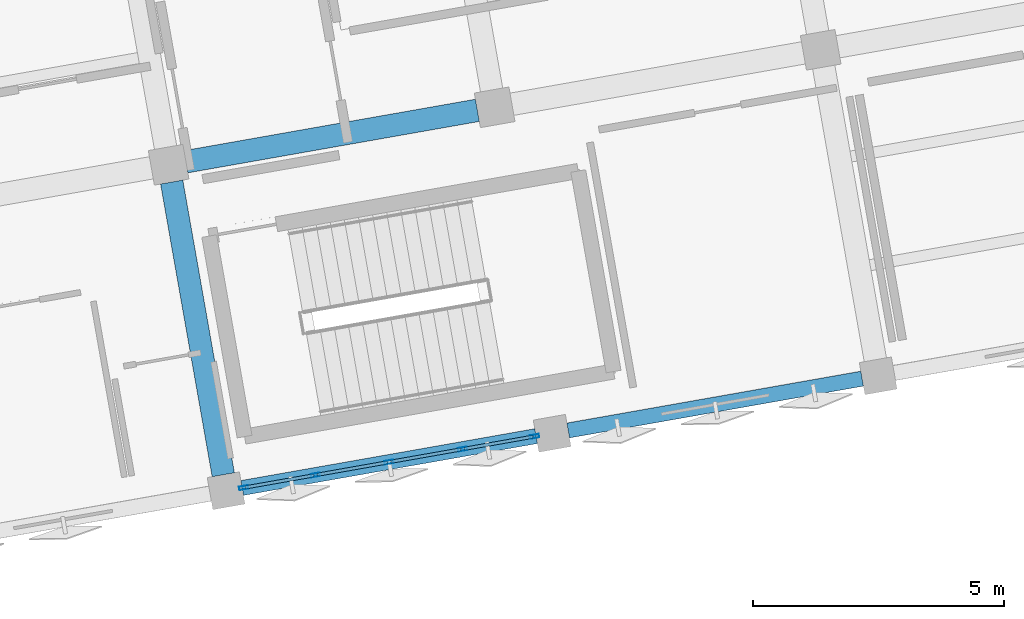
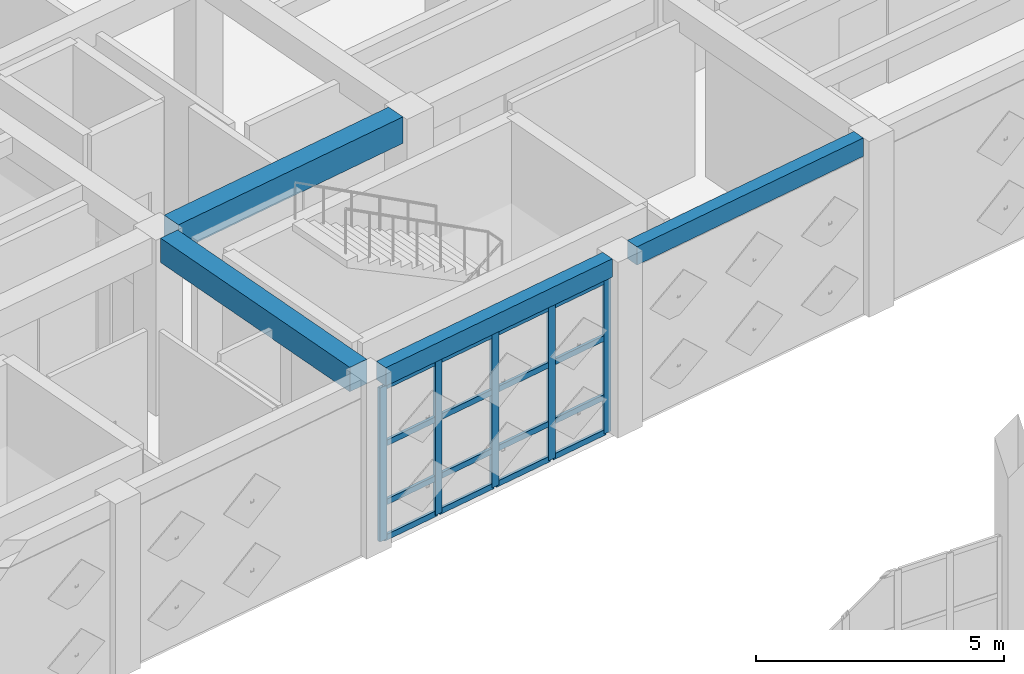
# One storey, part 5 of 39: 21 members, 4 beams, 1 element without a shape of its own.
"""IFC4 building model written with IfcOpenShell, lengths in metres."""

from ifc_helpers import new_model, si_unit, direction, frame, origin, origin_2d, place, context, subcontext, project, spatial, rectangle, hollow_rectangle, extrude, material, layer, layer_set, material_profile, profile_set, type_object, element, aggregate, save


model = new_model("IFC4")

# Units and contexts
model_context = context("Model", 3, precision=1e-05, world=origin(), true_north=direction((0.0, 1.0)))
body_context = subcontext(model_context, "Body", "Model", "MODEL_VIEW")
ifc_project = project(units=[si_unit("LENGTHUNIT", "METRE"), si_unit("AREAUNIT", "SQUARE_METRE"), si_unit("VOLUMEUNIT", "CUBIC_METRE"), si_unit("PLANEANGLEUNIT", "RADIAN"), si_unit("MASSUNIT", "GRAM", prefix="KILO")], contexts=[model_context])

# Site, building, storey
site_placement = place(None, origin())
site = spatial("IfcSite", under=ifc_project, at=site_placement, CompositionType="ELEMENT")
building_placement = place(site_placement, origin())
building = spatial("IfcBuilding", under=site, at=building_placement, Name="Kharisveld Research Institute", CompositionType="ELEMENT")
storey_placement = place(building_placement, frame((0.0, 0.0, 18.60009765625)))
storey = spatial("IfcBuildingStorey", under=building, at=storey_placement, Name="L04", CompositionType="ELEMENT", Elevation=18.60009765625)

# Beams
ifc_material_1 = material(Name="Concrete C40/50", Category="concrete")
ifc_material_profile_1 = material_profile(ifc_material_1, rectangle(XDim=0.449951171875, YDim=0.60009765625, at=origin_2d()))
ifc_profile_set_1 = profile_set([ifc_material_profile_1], Name="Concrete C40/50")
beam_type_1 = type_object("IfcBeamType", Name="BM_RC_450x600", PredefinedType="BEAM", material=ifc_profile_set_1)
beam_1_placement = place(storey_placement, frame((18.14306640625, 37.622314453125, 4.02001953125), z_axis=(-0.173639592071, 0.984809266846, 0.0), x_axis=(-0.984809266846, -0.173639592071, 0.0)))
element("IfcBeam", 1, at=beam_1_placement, inside=storey, type_object=beam_type_1, Name="BM:V1:L04:V2_0", PredefinedType="BEAM", context=body_context, shape_type="SweptSolid", body=[
    extrude(rectangle(XDim=0.449951171875, YDim=0.60009765625, at=origin_2d()), origin(), (0.0, 0.0, 1.0), 5.925048828125),
])
ifc_material_2 = material(Name="Concrete C40/50", Category="concrete")
ifc_material_profile_2 = material_profile(ifc_material_2, rectangle(XDim=0.449951171875, YDim=0.64990234375, at=origin_2d()))
ifc_profile_set_2 = profile_set([ifc_material_profile_2], Name="Concrete C40/50")
beam_type_2 = type_object("IfcBeamType", Name="BM_RC_450x650", PredefinedType="BEAM", material=ifc_profile_set_2)
beam_2_placement = place(storey_placement, frame((17.39794921875, 43.862548828125, 3.994873046875), z_axis=(0.98480479605, 0.173664946598, 0.0), x_axis=(-0.173664946598, 0.98480479605, 0.0)))
element("IfcBeam", 2, at=beam_2_placement, inside=storey, type_object=beam_type_2, Name="BM:V1:L04:U2_1", PredefinedType="BEAM", context=body_context, shape_type="SweptSolid", body=[
    extrude(rectangle(XDim=0.449951171875, YDim=0.64990234375, at=origin_2d()), origin(), (0.0, 0.0, 1.0), 5.900146484375),
])

# Curtain wall, members
ifc_material_3 = material(Name="Thermally Broken Aluminium Curtain Wall", Category="aluminium")
ifc_layer = layer(ifc_material_3, 0.159912109375)
ifc_layer_set = layer_set([ifc_layer], Name="CW_SYS_03")
curtain_wall_type = type_object("IfcCurtainWallType", Name="CW_SYS_03", PredefinedType="NOTDEFINED", material=ifc_layer_set)
curtain_wall_placement = place(storey_placement, origin())
curtain_wall = element("IfcCurtainWall", 3, at=curtain_wall_placement, inside=storey, type_object=curtain_wall_type, Name="CW:V1:L04:S3", PredefinedType="NOTDEFINED")
ifc_material_4 = material(Name="Anodised Aluminium AW-6063-T6", Category="aluminium")
ifc_material_profile_3 = material_profile(ifc_material_4, hollow_rectangle(XDim=0.070068359375, YDim=0.179931640625, WallThickness=0.00439453125, at=origin_2d()))
ifc_profile_set_3 = profile_set([ifc_material_profile_3], Name="Anodised Aluminium AW-6063-T6")
member_type_1 = type_object("IfcMemberType", Name="CW_MUL_180", PredefinedType="MULLION", material=ifc_profile_set_3)
member_1_placement = place(storey_placement, frame((24.349609375, 38.386474609375, 0.0), z_axis=(0.0, 0.0, 1.0), x_axis=(0.173648266375, -0.984807737371, 0.0)))
member_1 = element("IfcMember", 4, at=member_1_placement, type_object=member_type_1, Name="CW-03 mullion 1", PredefinedType="MULLION", context=body_context, shape_type="SweptSolid", body=[
    extrude(hollow_rectangle(XDim=0.070068359375, YDim=0.179931640625, WallThickness=0.00439453125, at=origin_2d()), origin(), (0.0, 0.0, 1.0), 3.77978515625),
])
member_2_placement = place(storey_placement, frame((22.916748046875, 38.134033203125, 0.0), z_axis=(0.0, 0.0, 1.0), x_axis=(0.173648266375, -0.984807737371, 0.0)))
member_2 = element("IfcMember", 5, at=member_2_placement, type_object=member_type_1, Name="CW-03 mullion 2", PredefinedType="MULLION", context=body_context, shape_type="SweptSolid", body=[
    extrude(hollow_rectangle(XDim=0.070068359375, YDim=0.179931640625, WallThickness=0.00439453125, at=origin_2d()), origin(), (0.0, 0.0, 1.0), 3.77978515625),
])
member_3_placement = place(storey_placement, frame((21.44921875, 37.875244140625, 0.0), z_axis=(0.0, 0.0, 1.0), x_axis=(0.173648266375, -0.984807737371, 0.0)))
member_3 = element("IfcMember", 6, at=member_3_placement, type_object=member_type_1, Name="CW-03 mullion 3", PredefinedType="MULLION", context=body_context, shape_type="SweptSolid", body=[
    extrude(hollow_rectangle(XDim=0.070068359375, YDim=0.179931640625, WallThickness=0.00439453125, at=origin_2d()), origin(), (0.0, 0.0, 1.0), 3.77978515625),
])
member_4_placement = place(storey_placement, frame((19.98193359375, 37.616455078125, 0.0), z_axis=(0.0, 0.0, 1.0), x_axis=(0.173648266375, -0.984807737371, 0.0)))
member_4 = element("IfcMember", 7, at=member_4_placement, type_object=member_type_1, Name="CW-03 mullion 4", PredefinedType="MULLION", context=body_context, shape_type="SweptSolid", body=[
    extrude(hollow_rectangle(XDim=0.070068359375, YDim=0.179931640625, WallThickness=0.00439453125, at=origin_2d()), origin(), (0.0, 0.0, 1.0), 3.77978515625),
])
member_5_placement = place(storey_placement, frame((18.549072265625, 37.36376953125, 0.0), z_axis=(0.0, 0.0, 1.0), x_axis=(0.173648266375, -0.984807737371, 0.0)))
member_5 = element("IfcMember", 8, at=member_5_placement, type_object=member_type_1, Name="CW-03 mullion 5", PredefinedType="MULLION", context=body_context, shape_type="SweptSolid", body=[
    extrude(hollow_rectangle(XDim=0.070068359375, YDim=0.179931640625, WallThickness=0.00439453125, at=origin_2d()), origin(), (0.0, 0.0, 1.0), 3.77978515625),
])
ifc_material_5 = material(Name="Anodised Aluminium AW-6063-T6", Category="aluminium")
ifc_material_profile_4 = material_profile(ifc_material_5, hollow_rectangle(XDim=0.06494140625, YDim=0.139892578125, WallThickness=0.00390625, at=origin_2d()))
ifc_profile_set_4 = profile_set([ifc_material_profile_4], Name="Anodised Aluminium AW-6063-T6")
member_type_2 = type_object("IfcMemberType", Name="CW_TRN_140", PredefinedType="USERDEFINED", material=ifc_profile_set_4)
member_6_placement = place(storey_placement, frame((24.315185546875, 38.380615234375, 0.032470703125), z_axis=(-0.984781784306, -0.173795389176, 0.0), x_axis=(0.173795389176, -0.984781784306, 0.0)))
member_6 = element("IfcMember", 9, at=member_6_placement, type_object=member_type_2, Name="CW-03 transom 1.1", ObjectType="TRANSOM", PredefinedType="USERDEFINED", context=body_context, shape_type="SweptSolid", body=[
    extrude(hollow_rectangle(XDim=0.06494140625, YDim=0.139892578125, WallThickness=0.00390625, at=origin_2d()), origin(), (0.0, 0.0, 1.0), 1.385009765625),
])
member_7_placement = place(storey_placement, frame((24.315185546875, 38.380615234375, 0.89990234375), z_axis=(-0.984781784306, -0.173795389176, 0.0), x_axis=(0.173795389176, -0.984781784306, 0.0)))
member_7 = element("IfcMember", 10, at=member_7_placement, type_object=member_type_2, Name="CW-03 transom 1.2", ObjectType="TRANSOM", PredefinedType="USERDEFINED", context=body_context, shape_type="SweptSolid", body=[
    extrude(hollow_rectangle(XDim=0.06494140625, YDim=0.139892578125, WallThickness=0.00390625, at=origin_2d()), origin(), (0.0, 0.0, 1.0), 1.385009765625),
])
member_8_placement = place(storey_placement, frame((24.315185546875, 38.380615234375, 2.349853515625), z_axis=(-0.984781784306, -0.173795389176, 0.0), x_axis=(0.173795389176, -0.984781784306, 0.0)))
member_8 = element("IfcMember", 11, at=member_8_placement, type_object=member_type_2, Name="CW-03 transom 1.3", ObjectType="TRANSOM", PredefinedType="USERDEFINED", context=body_context, shape_type="SweptSolid", body=[
    extrude(hollow_rectangle(XDim=0.06494140625, YDim=0.139892578125, WallThickness=0.00390625, at=origin_2d()), origin(), (0.0, 0.0, 1.0), 1.385009765625),
])
member_9_placement = place(storey_placement, frame((24.315185546875, 38.380615234375, 3.747314453125), z_axis=(-0.984781784306, -0.173795389176, 0.0), x_axis=(0.173795389176, -0.984781784306, 0.0)))
member_9 = element("IfcMember", 12, at=member_9_placement, type_object=member_type_2, Name="CW-03 transom 1.4", ObjectType="TRANSOM", PredefinedType="USERDEFINED", context=body_context, shape_type="SweptSolid", body=[
    extrude(hollow_rectangle(XDim=0.06494140625, YDim=0.139892578125, WallThickness=0.00390625, at=origin_2d()), origin(), (0.0, 0.0, 1.0), 1.385009765625),
])
member_10_placement = place(storey_placement, frame((22.88232421875, 38.1279296875, 0.032470703125), z_axis=(-0.984807780811, -0.17364802001, 0.0), x_axis=(0.17364802001, -0.984807780811, 0.0)))
member_10 = element("IfcMember", 13, at=member_10_placement, type_object=member_type_2, Name="CW-03 transom 2.1", ObjectType="TRANSOM", PredefinedType="USERDEFINED", context=body_context, shape_type="SweptSolid", body=[
    extrude(hollow_rectangle(XDim=0.06494140625, YDim=0.139892578125, WallThickness=0.00390625, at=origin_2d()), origin(), (0.0, 0.0, 1.0), 1.419921875),
])
member_11_placement = place(storey_placement, frame((22.88232421875, 38.1279296875, 0.89990234375), z_axis=(-0.984807780811, -0.17364802001, 0.0), x_axis=(0.17364802001, -0.984807780811, 0.0)))
member_11 = element("IfcMember", 14, at=member_11_placement, type_object=member_type_2, Name="CW-03 transom 2.2", ObjectType="TRANSOM", PredefinedType="USERDEFINED", context=body_context, shape_type="SweptSolid", body=[
    extrude(hollow_rectangle(XDim=0.06494140625, YDim=0.139892578125, WallThickness=0.00390625, at=origin_2d()), origin(), (0.0, 0.0, 1.0), 1.419921875),
])
member_12_placement = place(storey_placement, frame((22.88232421875, 38.1279296875, 2.349853515625), z_axis=(-0.984807780811, -0.17364802001, 0.0), x_axis=(0.17364802001, -0.984807780811, 0.0)))
member_12 = element("IfcMember", 15, at=member_12_placement, type_object=member_type_2, Name="CW-03 transom 2.3", ObjectType="TRANSOM", PredefinedType="USERDEFINED", context=body_context, shape_type="SweptSolid", body=[
    extrude(hollow_rectangle(XDim=0.06494140625, YDim=0.139892578125, WallThickness=0.00390625, at=origin_2d()), origin(), (0.0, 0.0, 1.0), 1.419921875),
])
member_13_placement = place(storey_placement, frame((22.88232421875, 38.1279296875, 3.747314453125), z_axis=(-0.984807780811, -0.17364802001, 0.0), x_axis=(0.17364802001, -0.984807780811, 0.0)))
member_13 = element("IfcMember", 16, at=member_13_placement, type_object=member_type_2, Name="CW-03 transom 2.4", ObjectType="TRANSOM", PredefinedType="USERDEFINED", context=body_context, shape_type="SweptSolid", body=[
    extrude(hollow_rectangle(XDim=0.06494140625, YDim=0.139892578125, WallThickness=0.00390625, at=origin_2d()), origin(), (0.0, 0.0, 1.0), 1.419921875),
])
member_14_placement = place(storey_placement, frame((21.414794921875, 37.869140625, 0.032470703125), z_axis=(-0.984807780811, -0.17364802001, 0.0), x_axis=(0.17364802001, -0.984807780811, 0.0)))
member_14 = element("IfcMember", 17, at=member_14_placement, type_object=member_type_2, Name="CW-03 transom 3.1", ObjectType="TRANSOM", PredefinedType="USERDEFINED", context=body_context, shape_type="SweptSolid", body=[
    extrude(hollow_rectangle(XDim=0.06494140625, YDim=0.139892578125, WallThickness=0.00390625, at=origin_2d()), origin(), (0.0, 0.0, 1.0), 1.419921875),
])
member_15_placement = place(storey_placement, frame((21.414794921875, 37.869140625, 0.89990234375), z_axis=(-0.984807780811, -0.17364802001, 0.0), x_axis=(0.17364802001, -0.984807780811, 0.0)))
member_15 = element("IfcMember", 18, at=member_15_placement, type_object=member_type_2, Name="CW-03 transom 3.2", ObjectType="TRANSOM", PredefinedType="USERDEFINED", context=body_context, shape_type="SweptSolid", body=[
    extrude(hollow_rectangle(XDim=0.06494140625, YDim=0.139892578125, WallThickness=0.00390625, at=origin_2d()), origin(), (0.0, 0.0, 1.0), 1.419921875),
])
member_16_placement = place(storey_placement, frame((21.414794921875, 37.869140625, 2.349853515625), z_axis=(-0.984807780811, -0.17364802001, 0.0), x_axis=(0.17364802001, -0.984807780811, 0.0)))
member_16 = element("IfcMember", 19, at=member_16_placement, type_object=member_type_2, Name="CW-03 transom 3.3", ObjectType="TRANSOM", PredefinedType="USERDEFINED", context=body_context, shape_type="SweptSolid", body=[
    extrude(hollow_rectangle(XDim=0.06494140625, YDim=0.139892578125, WallThickness=0.00390625, at=origin_2d()), origin(), (0.0, 0.0, 1.0), 1.419921875),
])
member_17_placement = place(storey_placement, frame((21.414794921875, 37.869140625, 3.747314453125), z_axis=(-0.984807780811, -0.17364802001, 0.0), x_axis=(0.17364802001, -0.984807780811, 0.0)))
member_17 = element("IfcMember", 20, at=member_17_placement, type_object=member_type_2, Name="CW-03 transom 3.4", ObjectType="TRANSOM", PredefinedType="USERDEFINED", context=body_context, shape_type="SweptSolid", body=[
    extrude(hollow_rectangle(XDim=0.06494140625, YDim=0.139892578125, WallThickness=0.00390625, at=origin_2d()), origin(), (0.0, 0.0, 1.0), 1.419921875),
])
member_18_placement = place(storey_placement, frame((19.947509765625, 37.6103515625, 0.032470703125), z_axis=(-0.984811937912, -0.173624442249, 0.0), x_axis=(0.173624442249, -0.984811937912, 0.0)))
member_18 = element("IfcMember", 21, at=member_18_placement, type_object=member_type_2, Name="CW-03 transom 4.1", ObjectType="TRANSOM", PredefinedType="USERDEFINED", context=body_context, shape_type="SweptSolid", body=[
    extrude(hollow_rectangle(XDim=0.06494140625, YDim=0.139892578125, WallThickness=0.00390625, at=origin_2d()), origin(), (0.0, 0.0, 1.0), 1.385009765625),
])
member_19_placement = place(storey_placement, frame((19.947509765625, 37.6103515625, 0.89990234375), z_axis=(-0.984811937912, -0.173624442249, 0.0), x_axis=(0.173624442249, -0.984811937912, 0.0)))
member_19 = element("IfcMember", 22, at=member_19_placement, type_object=member_type_2, Name="CW-03 transom 4.2", ObjectType="TRANSOM", PredefinedType="USERDEFINED", context=body_context, shape_type="SweptSolid", body=[
    extrude(hollow_rectangle(XDim=0.06494140625, YDim=0.139892578125, WallThickness=0.00390625, at=origin_2d()), origin(), (0.0, 0.0, 1.0), 1.385009765625),
])
member_20_placement = place(storey_placement, frame((19.947509765625, 37.6103515625, 2.349853515625), z_axis=(-0.984811937912, -0.173624442249, 0.0), x_axis=(0.173624442249, -0.984811937912, 0.0)))
member_20 = element("IfcMember", 23, at=member_20_placement, type_object=member_type_2, Name="CW-03 transom 4.3", ObjectType="TRANSOM", PredefinedType="USERDEFINED", context=body_context, shape_type="SweptSolid", body=[
    extrude(hollow_rectangle(XDim=0.06494140625, YDim=0.139892578125, WallThickness=0.00390625, at=origin_2d()), origin(), (0.0, 0.0, 1.0), 1.385009765625),
])
member_21_placement = place(storey_placement, frame((19.947509765625, 37.6103515625, 3.747314453125), z_axis=(-0.984811937912, -0.173624442249, 0.0), x_axis=(0.173624442249, -0.984811937912, 0.0)))
member_21 = element("IfcMember", 24, at=member_21_placement, type_object=member_type_2, Name="CW-03 transom 4.4", ObjectType="TRANSOM", PredefinedType="USERDEFINED", context=body_context, shape_type="SweptSolid", body=[
    extrude(hollow_rectangle(XDim=0.06494140625, YDim=0.139892578125, WallThickness=0.00390625, at=origin_2d()), origin(), (0.0, 0.0, 1.0), 1.385009765625),
])
aggregate(curtain_wall, [member_1, member_2, member_3, member_4, member_5, member_6, member_7, member_8, member_9, member_10, member_11, member_12, member_13, member_14, member_15, member_16, member_17, member_18, member_19, member_20, member_21])

# Beams
ifc_material_6 = material(Name="Concrete C40/50", Category="concrete")
ifc_material_profile_5 = material_profile(ifc_material_6, rectangle(XDim=0.300048828125, YDim=0.449951171875, at=origin_2d()))
ifc_profile_set_5 = profile_set([ifc_material_profile_5], Name="Concrete C40/50")
beam_type_3 = type_object("IfcBeamType", Name="SP_RC_300x450", PredefinedType="SPANDREL", material=ifc_profile_set_5)
for number, where, z_axis, x_axis, name in (
    (25, (18.51953125, 37.358642578125, 4.094970703125), (0.984807920462, 0.173647228007, 0.0), (-0.173647228007, 0.984807920462, 0.0), "BM:V1:L04:U2_0"),
    (26, (25.019287109375, 38.504638671875, 4.094970703125), (0.984807920462, 0.173647228007, 0.0), (-0.173647228007, 0.984807920462, 0.0), "BM:V1:L04:U3_0"),
):
    element("IfcBeam", number, at=place(storey_placement, frame(where, z_axis=z_axis, x_axis=x_axis)), inside=storey, type_object=beam_type_3, Name=name, PredefinedType="SPANDREL", context=body_context, shape_type="SweptSolid", body=[
        extrude(rectangle(XDim=0.300048828125, YDim=0.449951171875, at=origin_2d()), origin(), (0.0, 0.0, 1.0), 5.949951171875),
    ])

save(model, "model.ifc")
